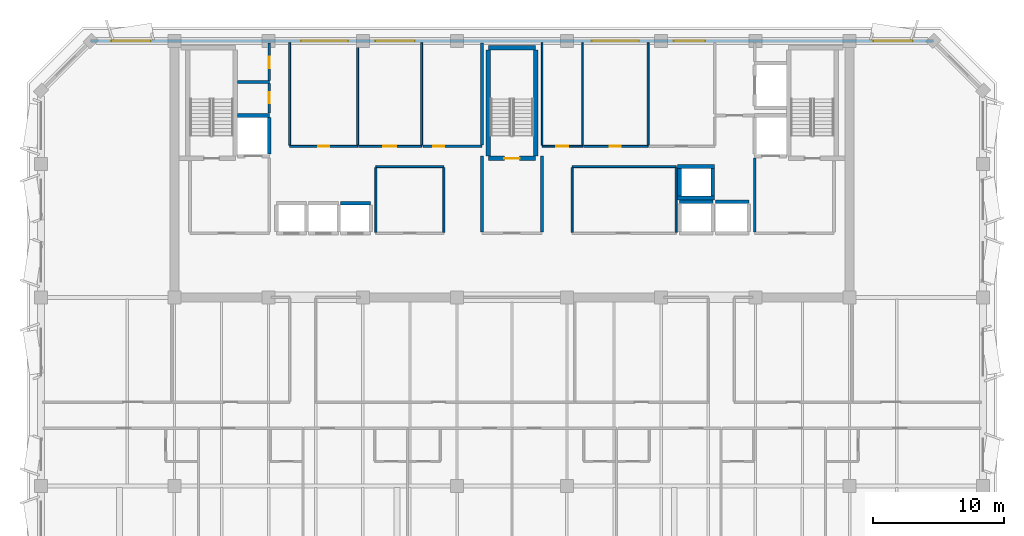
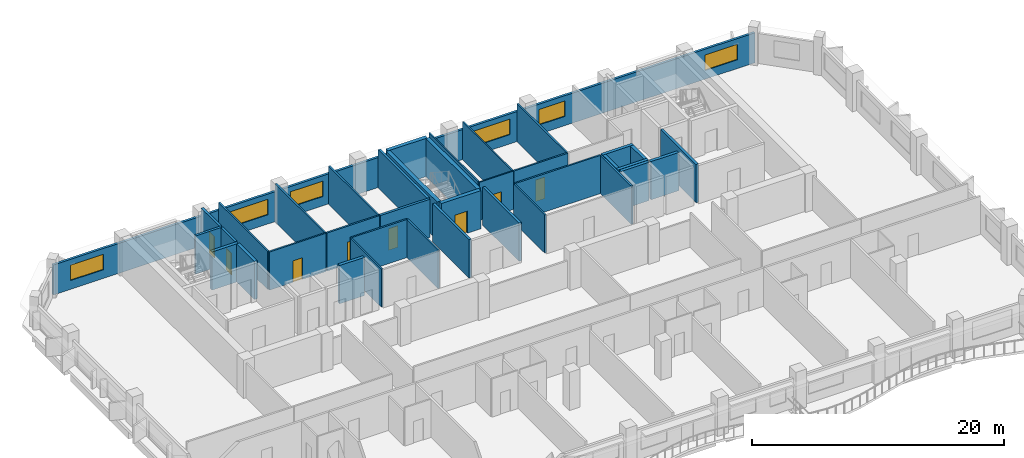
# One storey, part 6 of 11: 38 walls, 8 doors, 6 windows, 14 openings.
"""IFC4 building model written with IfcOpenShell, lengths in metres."""

from ifc_helpers import new_model, si_unit, direction, frame, frame_2d, origin, place, context, subcontext, project, spatial, rectangle, extrude, material, layer, layer_set, type_object, element, fill, save


model = new_model("IFC4")

# Units and contexts
model_context = context("Model", 3, precision=1e-05, world=origin(), true_north=direction((0.0, 1.0)))
body_context = subcontext(model_context, "Body", "Model", "MODEL_VIEW")
ifc_project = project(units=[si_unit("LENGTHUNIT", "METRE"), si_unit("AREAUNIT", "SQUARE_METRE"), si_unit("VOLUMEUNIT", "CUBIC_METRE"), si_unit("PLANEANGLEUNIT", "RADIAN"), si_unit("MASSUNIT", "GRAM", prefix="KILO")], contexts=[model_context])

# Site, building, storey
site_placement = place(None, origin())
site = spatial("IfcSite", under=ifc_project, at=site_placement, CompositionType="ELEMENT")
building_placement = place(site_placement, origin())
building = spatial("IfcBuilding", under=site, at=building_placement, Name="Kaelvorn Grand Hotel", CompositionType="ELEMENT")
storey_placement = place(building_placement, frame((0.0, 0.0, 252.85009765625)))
storey = spatial("IfcBuildingStorey", under=building, at=storey_placement, Name="L62", CompositionType="ELEMENT", Elevation=252.85009765625)

# Wall, openings, windows
ifc_material_1 = material(Name="Concrete C40/50", Category="concrete")
ifc_layer_1 = layer(ifc_material_1, 0.219970703125)
ifc_layer_set_1 = layer_set([ifc_layer_1], Name="Concrete C40/50")
wall_type_1 = type_object("IfcWallType", Name="WL-EXT-220-C40", PredefinedType="SOLIDWALL", material=ifc_layer_set_1)
wall_1_placement = place(storey_placement, frame((74.199951171875, 49.0, 0.0), z_axis=(0.0, 0.0, 1.0), x_axis=(-1.0, 0.0, 0.0)))
wall_1 = element("IfcWall", 1, at=wall_1_placement, inside=storey, type_object=wall_type_1, Name="L62 Exterior Architectural Concrete Wall 05", PredefinedType="SOLIDWALL", context=body_context, shape_type="SweptSolid", body=[
    extrude(rectangle(XDim=64.39990234375, YDim=0.219970703125, at=frame_2d((32.199951171875, 0.0))), origin(), (0.0, 0.0, 1.0), 2.909912109375),
])
opening_1_placement = place(wall_1_placement, frame((59.81494140625, 0.0, 0.85009765625)))
opening_1 = element("IfcOpeningElement", 2, at=opening_1_placement, cuts=wall_1, Name="Opening W5", PredefinedType="OPENING", context=body_context, shape_type="SweptSolid", body=[
    extrude(rectangle(XDim=3.0, YDim=1.5, at=frame_2d((1.5, 0.75))), frame((0.0, 0.1201171875, 0.0), z_axis=(0.0, -1.0, 0.0), x_axis=(1.0, 0.0, 0.0)), (0.0, 0.0, 1.0), 0.239990234375),
])
opening_2_placement = place(wall_1_placement, frame((1.5849609375, 0.0, 0.85009765625)))
opening_2 = element("IfcOpeningElement", 3, at=opening_2_placement, cuts=wall_1, Name="Opening W5", PredefinedType="OPENING", context=body_context, shape_type="SweptSolid", body=[
    extrude(rectangle(XDim=3.0, YDim=1.5, at=frame_2d((1.5, 0.75))), frame((0.0, 0.1201171875, 0.0), z_axis=(0.0, -1.0, 0.0), x_axis=(1.0, 0.0, 0.0)), (0.0, 0.0, 1.0), 0.239990234375),
])
opening_3_placement = place(wall_1_placement, frame((44.715087890625, 0.0, 0.89990234375)))
opening_3 = element("IfcOpeningElement", 4, at=opening_3_placement, cuts=wall_1, Name="Opening W3", PredefinedType="OPENING", context=body_context, shape_type="SweptSolid", body=[
    extrude(rectangle(XDim=3.60009765625, YDim=1.5, at=frame_2d((1.800048828125, 0.75))), frame((0.0, 0.1201171875, 0.0), z_axis=(0.0, -1.0, 0.0), x_axis=(1.0, 0.0, 0.0)), (0.0, 0.0, 1.0), 0.239990234375),
])
opening_4_placement = place(wall_1_placement, frame((39.64990234375, 0.0, 0.89990234375)))
opening_4 = element("IfcOpeningElement", 5, at=opening_4_placement, cuts=wall_1, Name="Opening W5", PredefinedType="OPENING", context=body_context, shape_type="SweptSolid", body=[
    extrude(rectangle(XDim=3.0, YDim=1.5, at=frame_2d((1.5, 0.75))), frame((0.0, 0.1201171875, 0.0), z_axis=(0.0, -1.0, 0.0), x_axis=(1.0, 0.0, 0.0)), (0.0, 0.0, 1.0), 0.239990234375),
])
opening_5_placement = place(wall_1_placement, frame((22.5, 0.0, 0.89990234375)))
opening_5 = element("IfcOpeningElement", 6, at=opening_5_placement, cuts=wall_1, Name="Opening W3", PredefinedType="OPENING", context=body_context, shape_type="SweptSolid", body=[
    extrude(rectangle(XDim=3.60009765625, YDim=1.5, at=frame_2d((1.800048828125, 0.75))), frame((0.0, 0.1201171875, 0.0), z_axis=(0.0, -1.0, 0.0), x_axis=(1.0, 0.0, 0.0)), (0.0, 0.0, 1.0), 0.239990234375),
])
opening_6_placement = place(wall_1_placement, frame((17.43505859375, 0.0, 0.89990234375)))
opening_6 = element("IfcOpeningElement", 7, at=opening_6_placement, cuts=wall_1, Name="Opening W6", PredefinedType="OPENING", context=body_context, shape_type="SweptSolid", body=[
    extrude(rectangle(XDim=2.39990234375, YDim=1.5, at=frame_2d((1.199951171875, 0.75))), frame((0.0, 0.1201171875, 0.0), z_axis=(0.0, -1.0, 0.0), x_axis=(1.0, 0.0, 0.0)), (0.0, 0.0, 1.0), 0.239990234375),
])
ifc_material_2 = material(Name="Laminated Low-E Glass", Category="glass")
window_type_1 = type_object("IfcWindowType", Name="WIN-NTH-2400x1500", PartitioningType="SINGLE_PANEL", PredefinedType="WINDOW", material=ifc_material_2)
window_1_placement = place(opening_6_placement, origin())
window_1 = element("IfcWindow", 8, at=window_1_placement, inside=storey, type_object=window_type_1, Name="L62 North Core Clerestory Ribbon Window NC06", OverallHeight=1.5, OverallWidth=2.39990234375, PartitioningType="SINGLE_PANEL", PredefinedType="WINDOW", context=body_context, shape_type="SweptSolid", body=[
    extrude(rectangle(XDim=2.39990234375, YDim=1.5, at=frame_2d((1.199951171875, 0.75))), frame((0.0, 0.030029296875, 0.0), z_axis=(0.0, -1.0, 0.0), x_axis=(1.0, 0.0, 0.0)), (0.0, 0.0, 1.0), 0.06005859375),
])
fill(opening_6, window_1)
window_type_2 = type_object("IfcWindowType", Name="WIN-NTH-3000x1500", PartitioningType="SINGLE_PANEL", PredefinedType="WINDOW", material=ifc_material_2)
window_2_placement = place(opening_1_placement, origin())
window_2 = element("IfcWindow", 9, at=window_2_placement, inside=storey, type_object=window_type_2, Name="L62 North Wing Ribbon Window NW01", OverallHeight=1.5, OverallWidth=3.0, PartitioningType="SINGLE_PANEL", PredefinedType="WINDOW", context=body_context, shape_type="SweptSolid", body=[
    extrude(rectangle(XDim=3.0, YDim=1.5, at=frame_2d((1.5, 0.75))), frame((0.0, 0.030029296875, 0.0), z_axis=(0.0, -1.0, 0.0), x_axis=(1.0, 0.0, 0.0)), (0.0, 0.0, 1.0), 0.06005859375),
])
fill(opening_1, window_2)
window_3_placement = place(opening_2_placement, origin())
window_3 = element("IfcWindow", 10, at=window_3_placement, inside=storey, type_object=window_type_2, Name="L62 North Wing Ribbon Window NW02", OverallHeight=1.5, OverallWidth=3.0, PartitioningType="SINGLE_PANEL", PredefinedType="WINDOW", context=body_context, shape_type="SweptSolid", body=[
    extrude(rectangle(XDim=3.0, YDim=1.5, at=frame_2d((1.5, 0.75))), frame((0.0, 0.030029296875, 0.0), z_axis=(0.0, -1.0, 0.0), x_axis=(1.0, 0.0, 0.0)), (0.0, 0.0, 1.0), 0.06005859375),
])
fill(opening_2, window_3)
window_4_placement = place(opening_4_placement, origin())
window_4 = element("IfcWindow", 11, at=window_4_placement, inside=storey, type_object=window_type_2, Name="L62 North Core Clerestory Ribbon Window NC04", OverallHeight=1.5, OverallWidth=3.0, PartitioningType="SINGLE_PANEL", PredefinedType="WINDOW", context=body_context, shape_type="SweptSolid", body=[
    extrude(rectangle(XDim=3.0, YDim=1.5, at=frame_2d((1.5, 0.75))), frame((0.0, 0.030029296875, 0.0), z_axis=(0.0, -1.0, 0.0), x_axis=(1.0, 0.0, 0.0)), (0.0, 0.0, 1.0), 0.06005859375),
])
fill(opening_4, window_4)
window_type_3 = type_object("IfcWindowType", Name="WIN-RIB-3600x1750", PartitioningType="SINGLE_PANEL", PredefinedType="WINDOW", material=ifc_material_2)
window_5_placement = place(opening_3_placement, origin())
window_5 = element("IfcWindow", 12, at=window_5_placement, inside=storey, type_object=window_type_3, Name="L62 North Core Clerestory Ribbon Window NC03", OverallHeight=1.5, OverallWidth=3.60009765625, PartitioningType="SINGLE_PANEL", PredefinedType="WINDOW", context=body_context, shape_type="SweptSolid", body=[
    extrude(rectangle(XDim=3.60009765625, YDim=1.5, at=frame_2d((1.800048828125, 0.75))), frame((0.0, 0.030029296875, 0.0), z_axis=(0.0, -1.0, 0.0), x_axis=(1.0, 0.0, 0.0)), (0.0, 0.0, 1.0), 0.06005859375),
])
fill(opening_3, window_5)
window_6_placement = place(opening_5_placement, origin())
window_6 = element("IfcWindow", 13, at=window_6_placement, inside=storey, type_object=window_type_3, Name="L62 North Core Clerestory Ribbon Window NC05", OverallHeight=1.5, OverallWidth=3.60009765625, PartitioningType="SINGLE_PANEL", PredefinedType="WINDOW", context=body_context, shape_type="SweptSolid", body=[
    extrude(rectangle(XDim=3.60009765625, YDim=1.5, at=frame_2d((1.800048828125, 0.75))), frame((0.0, 0.030029296875, 0.0), z_axis=(0.0, -1.0, 0.0), x_axis=(1.0, 0.0, 0.0)), (0.0, 0.0, 1.0), 0.06005859375),
])
fill(opening_5, window_6)

# Wall, opening, door
ifc_material_3 = material(Name="Moisture-Resistant Tile & Stud Board")
ifc_layer_2 = layer(ifc_material_3, 0.125)
ifc_layer_set_2 = layer_set([ifc_layer_2], Name="Moisture-Resistant Tile & Stud Board")
wall_type_2 = type_object("IfcWallType", Name="WL-PART-125-WET", PredefinedType="PARTITIONING", material=ifc_layer_set_2)
wall_2_placement = place(storey_placement, frame((44.300048828125, 40.949951171875, 0.0), z_axis=(0.0, 0.0, 1.0), x_axis=(1.0, 0.0, 0.0)))
wall_2 = element("IfcWall", 14, at=wall_2_placement, inside=storey, type_object=wall_type_2, Name="L62 Accessible WC S Partition", PredefinedType="PARTITIONING", context=body_context, shape_type="SweptSolid", body=[
    extrude(rectangle(XDim=3.099853515625, YDim=0.125, at=frame_2d((1.5498046875, 0.0))), origin(), (0.0, 0.0, 1.0), 3.7099609375),
])
opening_7_placement = place(wall_2_placement, frame((1.10009765625, 0.0, 0.0)))
opening_7 = element("IfcOpeningElement", 15, at=opening_7_placement, cuts=wall_2, Name="Opening DI4", PredefinedType="OPENING", context=body_context, shape_type="SweptSolid", body=[
    extrude(rectangle(XDim=0.89990234375, YDim=2.10009765625, at=frame_2d((0.449951171875, 1.050048828125))), frame((0.0, 0.072509765625, 0.0), z_axis=(0.0, -1.0, 0.0), x_axis=(1.0, 0.0, 0.0)), (0.0, 0.0, 1.0), 0.14501953125),
])
ifc_material_4 = material(Name="Timber Veneer Leaf", Category="wood")
door_type_1 = type_object("IfcDoorType", Name="DR-INT-BATH-900x2100", OperationType="NOTDEFINED", PredefinedType="DOOR", material=ifc_material_4)
door_1_placement = place(opening_7_placement, origin())
door_1 = element("IfcDoor", 16, at=door_1_placement, inside=storey, type_object=door_type_1, Name="L62 Accessible WC Door", OperationType="SINGLE_SWING_RIGHT", OverallHeight=2.10009765625, OverallWidth=0.89990234375, PredefinedType="DOOR", context=body_context, shape_type="SweptSolid", body=[
    extrude(rectangle(XDim=0.89990234375, YDim=2.10009765625, at=frame_2d((0.449951171875, 1.050048828125))), frame((0.0, 0.02490234375, 0.0), z_axis=(0.0, -1.0, 0.0), x_axis=(1.0, 0.0, 0.0)), (0.0, 0.0, 1.0), 0.050048828125),
])
fill(opening_7, door_1)

# Walls
for number, where, z_axis, x_axis, name in (
    (17, (44.300048828125, 41.017578125, 0.0), (0.0, 0.0, 1.0), (0.0, 1.0, 0.0), "L62 Accessible WC W Partition"),
    (18, (47.39990234375, 41.017578125, 0.0), (0.0, 0.0, 1.0), (0.0, 1.0, 0.0), "L62 Accessible WC E Partition"),
):
    element("IfcWall", number, at=place(storey_placement, frame(where, z_axis=z_axis, x_axis=x_axis)), inside=storey, type_object=wall_type_2, Name=name, PredefinedType="PARTITIONING", context=body_context, shape_type="SweptSolid", body=[
        extrude(rectangle(XDim=7.83251953125, YDim=0.125, at=frame_2d((3.916259765625, 0.0))), origin(), (0.0, 0.0, 1.0), 3.7099609375),
    ])
ifc_material_5 = material(Name="Acoustic Gypsum & Stud Partition")
ifc_layer_3 = layer(ifc_material_5, 0.14990234375)
ifc_layer_set_3 = layer_set([ifc_layer_3], Name="Acoustic Gypsum & Stud Partition")
wall_type_3 = type_object("IfcWallType", Name="WL-PART-150-EI60", PredefinedType="PARTITIONING", material=ifc_layer_set_3)
wall_3_placement = place(storey_placement, frame((31.60009765625, 39.39990234375, 0.0), z_axis=(0.0, 0.0, 1.0), x_axis=(1.0, 0.0, 0.0)))
element("IfcWall", 19, at=wall_3_placement, inside=storey, type_object=wall_type_3, Name="L62 Core Telecoms & BMS Server Room N Partition", PredefinedType="PARTITIONING", context=body_context, shape_type="SweptSolid", body=[
    extrude(rectangle(XDim=5.199951171875, YDim=0.14990234375, at=frame_2d((2.60009765625, 0.0))), origin(), (0.0, 0.0, 1.0), 3.7099609375),
])
for number, where, z_axis, x_axis, name in (
    (20, (31.60009765625, 34.3798828125, 0.0), (0.0, 0.0, 1.0), (0.0, 1.0, 0.0), "L62 Core Telecoms & BMS Server Room W Partition"),
    (21, (36.800048828125, 34.3798828125, 0.0), (0.0, 0.0, 1.0), (0.0, 1.0, 0.0), "L62 Core Telecoms & BMS Server Room E Partition"),
):
    element("IfcWall", number, at=place(storey_placement, frame(where, z_axis=z_axis, x_axis=x_axis)), inside=storey, type_object=wall_type_3, Name=name, PredefinedType="PARTITIONING", context=body_context, shape_type="SweptSolid", body=[
        extrude(rectangle(XDim=4.940185546875, YDim=0.14990234375, at=frame_2d((2.47021484375, 0.0))), origin(), (0.0, 0.0, 1.0), 3.7099609375),
    ])
wall_4_placement = place(storey_placement, frame((46.60009765625, 39.39990234375, 0.0), z_axis=(0.0, 0.0, 1.0), x_axis=(1.0, 0.0, 0.0)))
element("IfcWall", 22, at=wall_4_placement, inside=storey, type_object=wall_type_3, Name="L62 Sky Concierge & Butler Pantry Lounge N Partition", PredefinedType="PARTITIONING", context=body_context, shape_type="SweptSolid", body=[
    extrude(rectangle(XDim=7.949951171875, YDim=0.14990234375, at=frame_2d((3.97509765625, 0.0))), origin(), (0.0, 0.0, 1.0), 3.7099609375),
])
for number, where, z_axis, x_axis, name in (
    (23, (46.60009765625, 34.3798828125, 0.0), (0.0, 0.0, 1.0), (0.0, 1.0, 0.0), "L62 Sky Concierge & Butler Pantry Lounge W Partition"),
    (24, (54.550048828125, 34.3798828125, 0.0), (0.0, 0.0, 1.0), (0.0, 1.0, 0.0), "L62 Sky Concierge & Butler Pantry Lounge E Partition"),
):
    element("IfcWall", number, at=place(storey_placement, frame(where, z_axis=z_axis, x_axis=x_axis)), inside=storey, type_object=wall_type_3, Name=name, PredefinedType="PARTITIONING", context=body_context, shape_type="SweptSolid", body=[
        extrude(rectangle(XDim=4.940185546875, YDim=0.14990234375, at=frame_2d((2.47021484375, 0.0))), origin(), (0.0, 0.0, 1.0), 3.7099609375),
    ])

# Wall, opening, door
wall_5_placement = place(storey_placement, frame((25.0, 40.949951171875, 0.0), z_axis=(0.0, 0.0, 1.0), x_axis=(1.0, 0.0, 0.0)))
wall_5 = element("IfcWall", 25, at=wall_5_placement, inside=storey, type_object=wall_type_3, Name="L62 Housekeeping & Linen Room S Partition", PredefinedType="PARTITIONING", context=body_context, shape_type="SweptSolid", body=[
    extrude(rectangle(XDim=5.199951171875, YDim=0.14990234375, at=frame_2d((2.60009765625, 0.0))), origin(), (0.0, 0.0, 1.0), 3.7099609375),
])
opening_8_placement = place(wall_5_placement, frame((2.175048828125, 0.0, 0.0)))
opening_8 = element("IfcOpeningElement", 26, at=opening_8_placement, cuts=wall_5, Name="Opening DI7", PredefinedType="OPENING", context=body_context, shape_type="SweptSolid", body=[
    extrude(rectangle(XDim=0.85009765625, YDim=2.10009765625, at=frame_2d((0.425048828125, 1.050048828125))), frame((0.0, 0.0849609375, 0.0), z_axis=(0.0, -1.0, 0.0), x_axis=(1.0, 0.0, 0.0)), (0.0, 0.0, 1.0), 0.169921875),
])
ifc_material_6 = material(Name="Powder-Coated Steel Leaf", Category="steel")
door_type_2 = type_object("IfcDoorType", Name="DR-INT-RISER-850x2100", OperationType="NOTDEFINED", PredefinedType="DOOR", material=ifc_material_6)
door_2_placement = place(opening_8_placement, origin())
door_2 = element("IfcDoor", 27, at=door_2_placement, inside=storey, type_object=door_type_2, Name="L62 Housekeeping & Linen Room Door", OperationType="SINGLE_SWING_LEFT", OverallHeight=2.10009765625, OverallWidth=0.85009765625, PredefinedType="DOOR", context=body_context, shape_type="SweptSolid", body=[
    extrude(rectangle(XDim=0.85009765625, YDim=2.10009765625, at=frame_2d((0.425048828125, 1.050048828125))), frame((0.0, 0.02490234375, 0.0), z_axis=(0.0, -1.0, 0.0), x_axis=(1.0, 0.0, 0.0)), (0.0, 0.0, 1.0), 0.050048828125),
])
fill(opening_8, door_2)

# Walls
for number, where, z_axis, x_axis, name in (
    (28, (25.0, 41.030029296875, 0.0), (0.0, 0.0, 1.0), (0.0, 1.0, 0.0), "L62 Housekeeping & Linen Room W Partition"),
    (29, (30.199951171875, 41.030029296875, 0.0), (0.0, 0.0, 1.0), (0.0, 1.0, 0.0), "L62 Housekeeping & Linen Room E Partition"),
):
    element("IfcWall", number, at=place(storey_placement, frame(where, z_axis=z_axis, x_axis=x_axis)), inside=storey, type_object=wall_type_3, Name=name, PredefinedType="PARTITIONING", context=body_context, shape_type="SweptSolid", body=[
        extrude(rectangle(XDim=7.820068359375, YDim=0.14990234375, at=frame_2d((3.91015625, 0.0))), origin(), (0.0, 0.0, 1.0), 3.7099609375),
    ])

# Wall, opening, door
wall_6_placement = place(storey_placement, frame((30.280029296875, 40.949951171875, 0.0), z_axis=(0.0, 0.0, 1.0), x_axis=(1.0, 0.0, 0.0)))
wall_6 = element("IfcWall", 30, at=wall_6_placement, inside=storey, type_object=wall_type_3, Name="L62 Room Service Servery Pantry S Partition", PredefinedType="PARTITIONING", context=body_context, shape_type="SweptSolid", body=[
    extrude(rectangle(XDim=4.820068359375, YDim=0.14990234375, at=frame_2d((2.41015625, 0.0))), origin(), (0.0, 0.0, 1.0), 3.7099609375),
])
opening_9_placement = place(wall_6_placement, frame((1.8701171875, 0.0, 0.0)))
opening_9 = element("IfcOpeningElement", 31, at=opening_9_placement, cuts=wall_6, Name="Opening DI3", PredefinedType="OPENING", context=body_context, shape_type="SweptSolid", body=[
    extrude(rectangle(XDim=1.0, YDim=2.14990234375, at=frame_2d((0.5, 1.074951171875))), frame((0.0, 0.0849609375, 0.0), z_axis=(0.0, -1.0, 0.0), x_axis=(1.0, 0.0, 0.0)), (0.0, 0.0, 1.0), 0.169921875),
])
ifc_material_7 = material(Name="Timber Veneer Fire Leaf", Category="wood")
door_type_3 = type_object("IfcDoorType", Name="DR-INT-GUEST-1000x2150", OperationType="NOTDEFINED", PredefinedType="DOOR", material=ifc_material_7)
door_3_placement = place(opening_9_placement, origin())
door_3 = element("IfcDoor", 32, at=door_3_placement, inside=storey, type_object=door_type_3, Name="L62 Room Service Servery Pantry Door", OperationType="SINGLE_SWING_RIGHT", OverallHeight=2.14990234375, OverallWidth=1.0, PredefinedType="DOOR", context=body_context, shape_type="SweptSolid", body=[
    extrude(rectangle(XDim=1.0, YDim=2.14990234375, at=frame_2d((0.5, 1.074951171875))), frame((0.0, 0.02490234375, 0.0), z_axis=(0.0, -1.0, 0.0), x_axis=(1.0, 0.0, 0.0)), (0.0, 0.0, 1.0), 0.050048828125),
])
fill(opening_9, door_3)

# Wall
wall_7_placement = place(storey_placement, frame((35.10009765625, 41.030029296875, 0.0), z_axis=(0.0, 0.0, 1.0), x_axis=(0.0, 1.0, 0.0)))
element("IfcWall", 33, at=wall_7_placement, inside=storey, type_object=wall_type_3, Name="L62 Room Service Servery Pantry E Partition", PredefinedType="PARTITIONING", context=body_context, shape_type="SweptSolid", body=[
    extrude(rectangle(XDim=7.820068359375, YDim=0.14990234375, at=frame_2d((3.91015625, 0.0))), origin(), (0.0, 0.0, 1.0), 3.7099609375),
])

# Wall, opening, door
wall_8_placement = place(storey_placement, frame((47.467529296875, 40.949951171875, 0.0), z_axis=(0.0, 0.0, 1.0), x_axis=(1.0, 0.0, 0.0)))
wall_8 = element("IfcWall", 34, at=wall_8_placement, inside=storey, type_object=wall_type_3, Name="L62 Valet & Luggage Store S Partition", PredefinedType="PARTITIONING", context=body_context, shape_type="SweptSolid", body=[
    extrude(rectangle(XDim=4.932373046875, YDim=0.14990234375, at=frame_2d((2.46630859375, 0.0))), origin(), (0.0, 0.0, 1.0), 3.7099609375),
])
opening_10_placement = place(wall_8_placement, frame((2.007568359375, 0.0, 0.0)))
opening_10 = element("IfcOpeningElement", 35, at=opening_10_placement, cuts=wall_8, Name="Opening DI7", PredefinedType="OPENING", context=body_context, shape_type="SweptSolid", body=[
    extrude(rectangle(XDim=0.85009765625, YDim=2.10009765625, at=frame_2d((0.425048828125, 1.050048828125))), frame((0.0, 0.0849609375, 0.0), z_axis=(0.0, -1.0, 0.0), x_axis=(1.0, 0.0, 0.0)), (0.0, 0.0, 1.0), 0.169921875),
])
door_4_placement = place(opening_10_placement, origin())
door_4 = element("IfcDoor", 36, at=door_4_placement, inside=storey, type_object=door_type_2, Name="L62 Valet & Luggage Store Door", OperationType="SINGLE_SWING_LEFT", OverallHeight=2.10009765625, OverallWidth=0.85009765625, PredefinedType="DOOR", context=body_context, shape_type="SweptSolid", body=[
    extrude(rectangle(XDim=0.85009765625, YDim=2.10009765625, at=frame_2d((0.425048828125, 1.050048828125))), frame((0.0, 0.02490234375, 0.0), z_axis=(0.0, -1.0, 0.0), x_axis=(1.0, 0.0, 0.0)), (0.0, 0.0, 1.0), 0.050048828125),
])
fill(opening_10, door_4)

# Walls
wall_9_placement = place(storey_placement, frame((52.39990234375, 41.030029296875, 0.0), z_axis=(0.0, 0.0, 1.0), x_axis=(0.0, 1.0, 0.0)))
element("IfcWall", 37, at=wall_9_placement, inside=storey, type_object=wall_type_3, Name="L62 Valet & Luggage Store E Partition", PredefinedType="PARTITIONING", context=body_context, shape_type="SweptSolid", body=[
    extrude(rectangle(XDim=7.820068359375, YDim=0.14990234375, at=frame_2d((3.91015625, 0.0))), origin(), (0.0, 0.0, 1.0), 3.7099609375),
])
ifc_layer_4 = layer(ifc_material_1, 0.219970703125)
ifc_layer_set_4 = layer_set([ifc_layer_4], Name="Concrete C40/50")
wall_type_4 = type_object("IfcWallType", Name="WL-PART-220-EI120", PredefinedType="PARTITIONING", material=ifc_layer_set_4)
wall_10_placement = place(storey_placement, frame((60.550048828125, 34.4150390625, 0.0), z_axis=(0.0, 0.0, 1.0), x_axis=(0.0, 1.0, 0.0)))
element("IfcWall", 38, at=wall_10_placement, inside=storey, type_object=wall_type_4, Name="L62 Firefighting Lift Lobby 2 W Partition", PredefinedType="PARTITIONING", context=body_context, shape_type="SweptSolid", body=[
    extrude(rectangle(XDim=5.639892578125, YDim=0.219970703125, at=frame_2d((2.81982421875, 0.0))), origin(), (0.0, 0.0, 1.0), 3.7099609375),
])
for number, where, z_axis, x_axis, name in (
    (39, (39.699951171875, 34.4150390625, 0.0), (0.0, 0.0, 1.0), (0.0, 1.0, 0.0), "L62 Central Stair Escape Vestibule W Partition"),
    (40, (44.300048828125, 34.4150390625, 0.0), (0.0, 0.0, 1.0), (0.0, 1.0, 0.0), "L62 Central Stair Escape Vestibule E Partition"),
):
    element("IfcWall", number, at=place(storey_placement, frame(where, z_axis=z_axis, x_axis=x_axis)), inside=storey, type_object=wall_type_4, Name=name, PredefinedType="PARTITIONING", context=body_context, shape_type="SweptSolid", body=[
        extrude(rectangle(XDim=5.784912109375, YDim=0.219970703125, at=frame_2d((2.892578125, 0.0))), origin(), (0.0, 0.0, 1.0), 3.7099609375),
    ])
wall_11_placement = place(storey_placement, frame((21.034912109375, 45.85009765625, 0.0), z_axis=(0.0, 0.0, 1.0), x_axis=(1.0, 0.0, 0.0)))
element("IfcWall", 41, at=wall_11_placement, inside=storey, type_object=wall_type_4, Name="L62 Wet Fire & Plumbing Riser Shaft N Partition", PredefinedType="PARTITIONING", context=body_context, shape_type="SweptSolid", body=[
    extrude(rectangle(XDim=2.4150390625, YDim=0.219970703125, at=frame_2d((1.20751953125, 0.0))), origin(), (0.0, 0.0, 1.0), 3.7099609375),
])

# Wall, opening, door
wall_12_placement = place(storey_placement, frame((23.449951171875, 43.5, 0.0), z_axis=(0.0, 0.0, 1.0), x_axis=(0.0, 1.0, 0.0)))
wall_12 = element("IfcWall", 42, at=wall_12_placement, inside=storey, type_object=wall_type_4, Name="L62 Wet Fire & Plumbing Riser Shaft E Partition", PredefinedType="PARTITIONING", context=body_context, shape_type="SweptSolid", body=[
    extrude(rectangle(XDim=2.235107421875, YDim=0.219970703125, at=frame_2d((1.11767578125, 0.0))), origin(), (0.0, 0.0, 1.0), 3.7099609375),
])
opening_11_placement = place(wall_12_placement, frame((0.72509765625, 0.0, 0.0)))
opening_11 = element("IfcOpeningElement", 43, at=opening_11_placement, cuts=wall_12, Name="Opening DI7", PredefinedType="OPENING", context=body_context, shape_type="SweptSolid", body=[
    extrude(rectangle(XDim=0.85009765625, YDim=2.10009765625, at=frame_2d((0.425048828125, 1.050048828125))), frame((0.0, 0.1201171875, 0.0), z_axis=(0.0, -1.0, 0.0), x_axis=(1.0, 0.0, 0.0)), (0.0, 0.0, 1.0), 0.239990234375),
])
door_5_placement = place(opening_11_placement, origin())
door_5 = element("IfcDoor", 44, at=door_5_placement, inside=storey, type_object=door_type_2, Name="L62 Wet Fire & Plumbing Riser Shaft Door", OperationType="SINGLE_SWING_LEFT", OverallHeight=2.10009765625, OverallWidth=0.85009765625, PredefinedType="DOOR", context=body_context, shape_type="SweptSolid", body=[
    extrude(rectangle(XDim=0.85009765625, YDim=2.10009765625, at=frame_2d((0.425048828125, 1.050048828125))), frame((0.0, 0.02490234375, 0.0), z_axis=(0.0, -1.0, 0.0), x_axis=(1.0, 0.0, 0.0)), (0.0, 0.0, 1.0), 0.050048828125),
])
fill(opening_11, door_5)

wall_13_placement = place(storey_placement, frame((23.449951171875, 45.965087890625, 0.0), z_axis=(0.0, 0.0, 1.0), x_axis=(0.0, 1.0, 0.0)))
wall_13 = element("IfcWall", 45, at=wall_13_placement, inside=storey, type_object=wall_type_4, Name="L62 HV Electrical & Smoke Riser E Partition", PredefinedType="PARTITIONING", context=body_context, shape_type="SweptSolid", body=[
    extrude(rectangle(XDim=2.885009765625, YDim=0.219970703125, at=frame_2d((1.4423828125, 0.0))), origin(), (0.0, 0.0, 1.0), 3.7099609375),
])
opening_12_placement = place(wall_13_placement, frame((0.9599609375, 0.0, 0.0)))
opening_12 = element("IfcOpeningElement", 46, at=opening_12_placement, cuts=wall_13, Name="Opening DI7", PredefinedType="OPENING", context=body_context, shape_type="SweptSolid", body=[
    extrude(rectangle(XDim=0.85009765625, YDim=2.10009765625, at=frame_2d((0.425048828125, 1.050048828125))), frame((0.0, 0.1201171875, 0.0), z_axis=(0.0, -1.0, 0.0), x_axis=(1.0, 0.0, 0.0)), (0.0, 0.0, 1.0), 0.239990234375),
])
door_6_placement = place(opening_12_placement, origin())
door_6 = element("IfcDoor", 47, at=door_6_placement, inside=storey, type_object=door_type_2, Name="L62 HV Electrical & Smoke Riser Door", OperationType="SINGLE_SWING_RIGHT", OverallHeight=2.10009765625, OverallWidth=0.85009765625, PredefinedType="DOOR", context=body_context, shape_type="SweptSolid", body=[
    extrude(rectangle(XDim=0.85009765625, YDim=2.10009765625, at=frame_2d((0.425048828125, 1.050048828125))), frame((0.0, 0.02490234375, 0.0), z_axis=(0.0, -1.0, 0.0), x_axis=(1.0, 0.0, 0.0)), (0.0, 0.0, 1.0), 0.050048828125),
])
fill(opening_12, door_6)

wall_14_placement = place(storey_placement, frame((35.179931640625, 40.949951171875, 0.0), z_axis=(0.0, 0.0, 1.0), x_axis=(1.0, 0.0, 0.0)))
wall_14 = element("IfcWall", 48, at=wall_14_placement, inside=storey, type_object=wall_type_4, Name="L62 Floor Electrical Switchroom S Partition", PredefinedType="PARTITIONING", context=body_context, shape_type="SweptSolid", body=[
    extrude(rectangle(XDim=4.52001953125, YDim=0.219970703125, at=frame_2d((2.260009765625, 0.0))), origin(), (0.0, 0.0, 1.0), 3.7099609375),
])
opening_13_placement = place(wall_14_placement, frame((0.794921875, 0.0, 0.0)))
opening_13 = element("IfcOpeningElement", 49, at=opening_13_placement, cuts=wall_14, Name="Opening DI7", PredefinedType="OPENING", context=body_context, shape_type="SweptSolid", body=[
    extrude(rectangle(XDim=0.85009765625, YDim=2.10009765625, at=frame_2d((0.425048828125, 1.050048828125))), frame((0.0, 0.1201171875, 0.0), z_axis=(0.0, -1.0, 0.0), x_axis=(1.0, 0.0, 0.0)), (0.0, 0.0, 1.0), 0.239990234375),
])
door_7_placement = place(opening_13_placement, origin())
door_7 = element("IfcDoor", 50, at=door_7_placement, inside=storey, type_object=door_type_2, Name="L62 Floor Electrical Switchroom Door", OperationType="SINGLE_SWING_LEFT", OverallHeight=2.10009765625, OverallWidth=0.85009765625, PredefinedType="DOOR", context=body_context, shape_type="SweptSolid", body=[
    extrude(rectangle(XDim=0.85009765625, YDim=2.10009765625, at=frame_2d((0.425048828125, 1.050048828125))), frame((0.0, 0.02490234375, 0.0), z_axis=(0.0, -1.0, 0.0), x_axis=(1.0, 0.0, 0.0)), (0.0, 0.0, 1.0), 0.050048828125),
])
fill(opening_13, door_7)

# Walls
wall_15_placement = place(storey_placement, frame((39.699951171875, 41.06494140625, 0.0), z_axis=(0.0, 0.0, 1.0), x_axis=(0.0, 1.0, 0.0)))
element("IfcWall", 51, at=wall_15_placement, inside=storey, type_object=wall_type_4, Name="L62 Floor Electrical Switchroom E Partition", PredefinedType="PARTITIONING", context=body_context, shape_type="SweptSolid", body=[
    extrude(rectangle(XDim=7.78515625, YDim=0.219970703125, at=frame_2d((3.892578125, 0.0))), origin(), (0.0, 0.0, 1.0), 3.7099609375),
])
ifc_material_8 = material(Name="Concrete C50/60", Category="concrete")
ifc_layer_5 = layer(ifc_material_8, 0.280029296875)
ifc_layer_set_5 = layer_set([ifc_layer_5], Name="Concrete C50/60")
wall_type_5 = type_object("IfcWallType", Name="WL-SHAFT-280-C50", PredefinedType="SHEAR", material=ifc_layer_set_5)
wall_16_placement = place(storey_placement, frame((28.89990234375, 36.60009765625, 0.0), z_axis=(0.0, 0.0, 1.0), x_axis=(1.0, 0.0, 0.0)))
element("IfcWall", 52, at=wall_16_placement, inside=storey, type_object=wall_type_5, Name="L62 Lift PL-H3 Shaft North Wall", PredefinedType="SHEAR", context=body_context, shape_type="SweptSolid", body=[
    extrude(rectangle(XDim=2.300048828125, YDim=0.280029296875, at=frame_2d((1.14990234375, 0.0))), origin(), (0.0, 0.0, 1.0), 3.7099609375),
])
for number, where, z_axis, x_axis, name in (
    (53, (54.800048828125, 36.699951171875, 0.0), (0.0, 0.0, 1.0), (1.0, 0.0, 0.0), "L62 Lift OL-1 Shaft North Wall"),
    (54, (57.550048828125, 36.699951171875, 0.0), (0.0, 0.0, 1.0), (1.0, 0.0, 0.0), "L62 Lift OL-2 Shaft North Wall"),
):
    element("IfcWall", number, at=place(storey_placement, frame(where, z_axis=z_axis, x_axis=x_axis)), inside=storey, type_object=wall_type_5, Name=name, PredefinedType="SHEAR", context=body_context, shape_type="SweptSolid", body=[
        extrude(rectangle(XDim=2.550048828125, YDim=0.280029296875, at=frame_2d((1.27490234375, 0.0))), origin(), (0.0, 0.0, 1.0), 3.7099609375),
    ])
for number, where, z_axis, x_axis, name in (
    (55, (54.659912109375, 37.0, 0.0), (0.0, 0.0, 1.0), (1.0, 0.0, 0.0), "L62 Lift OL-3 Shaft South Wall"),
    (56, (54.659912109375, 39.39990234375, 0.0), (0.0, 0.0, 1.0), (1.0, 0.0, 0.0), "L62 Lift OL-3 Shaft North Wall"),
):
    element("IfcWall", number, at=place(storey_placement, frame(where, z_axis=z_axis, x_axis=x_axis)), inside=storey, type_object=wall_type_5, Name=name, PredefinedType="SHEAR", context=body_context, shape_type="SweptSolid", body=[
        extrude(rectangle(XDim=2.830078125, YDim=0.280029296875, at=frame_2d((1.4150390625, 0.0))), origin(), (0.0, 0.0, 1.0), 3.7099609375),
    ])
for number, where, z_axis, x_axis, name in (
    (57, (54.800048828125, 37.14501953125, 0.0), (0.0, 0.0, 1.0), (0.0, 1.0, 0.0), "L62 Lift OL-3 Shaft West Wall"),
    (58, (57.35009765625, 37.14501953125, 0.0), (0.0, 0.0, 1.0), (0.0, 1.0, 0.0), "L62 Lift OL-3 Shaft East Wall"),
):
    element("IfcWall", number, at=place(storey_placement, frame(where, z_axis=z_axis, x_axis=x_axis)), inside=storey, type_object=wall_type_5, Name=name, PredefinedType="SHEAR", context=body_context, shape_type="SweptSolid", body=[
        extrude(rectangle(XDim=2.10986328125, YDim=0.280029296875, at=frame_2d((1.054931640625, 0.0))), origin(), (0.0, 0.0, 1.0), 3.7099609375),
    ])
wall_17_placement = place(storey_placement, frame((21.034912109375, 43.300048828125, 0.0), z_axis=(0.0, 0.0, 1.0), x_axis=(1.0, 0.0, 0.0)))
element("IfcWall", 59, at=wall_17_placement, inside=storey, type_object=wall_type_5, Name="L62 Lift FFL1 Shaft North Wall", PredefinedType="SHEAR", context=body_context, shape_type="SweptSolid", body=[
    extrude(rectangle(XDim=2.4150390625, YDim=0.280029296875, at=frame_2d((1.20751953125, 0.0))), origin(), (0.0, 0.0, 1.0), 3.7099609375),
])
wall_18_placement = place(storey_placement, frame((23.449951171875, 40.344970703125, 0.0), z_axis=(0.0, 0.0, 1.0), x_axis=(0.0, 1.0, 0.0)))
element("IfcWall", 60, at=wall_18_placement, inside=storey, type_object=wall_type_5, Name="L62 Lift FFL1 Shaft East Wall", PredefinedType="SHEAR", context=body_context, shape_type="SweptSolid", body=[
    extrude(rectangle(XDim=2.81005859375, YDim=0.280029296875, at=frame_2d((1.405029296875, 0.0))), origin(), (0.0, 0.0, 1.0), 3.7099609375),
])

# Wall, opening, door
ifc_material_9 = material(Name="Concrete C60/75", Category="concrete")
ifc_layer_6 = layer(ifc_material_9, 0.35009765625)
ifc_layer_set_6 = layer_set([ifc_layer_6], Name="Concrete C60/75")
wall_type_6 = type_object("IfcWallType", Name="WL-SHAFT-350-C60", PredefinedType="SHEAR", material=ifc_layer_set_6)
wall_19_placement = place(storey_placement, frame((40.18505859375, 40.02490234375, 0.0), z_axis=(0.0, 0.0, 1.0), x_axis=(1.0, 0.0, 0.0)))
wall_19 = element("IfcWall", 61, at=wall_19_placement, inside=storey, type_object=wall_type_6, Name="L62 ST2 Stair Shaft South Wall", PredefinedType="SHEAR", context=body_context, shape_type="SweptSolid", body=[
    extrude(rectangle(XDim=3.6298828125, YDim=0.35009765625, at=frame_2d((1.81494140625, 0.0))), origin(), (0.0, 0.0, 1.0), 3.7099609375),
])
opening_14_placement = place(wall_19_placement, frame((1.239990234375, 0.0, 0.0)))
opening_14 = element("IfcOpeningElement", 62, at=opening_14_placement, cuts=wall_19, Name="Opening DI1", PredefinedType="OPENING", context=body_context, shape_type="SweptSolid", body=[
    extrude(rectangle(XDim=1.14990234375, YDim=2.14990234375, at=frame_2d((0.574951171875, 1.074951171875))), frame((0.0, 0.18505859375, 0.0), z_axis=(0.0, -1.0, 0.0), x_axis=(1.0, 0.0, 0.0)), (0.0, 0.0, 1.0), 0.3701171875),
])
door_type_4 = type_object("IfcDoorType", Name="DR-INT-STAIR-1150x2150", OperationType="NOTDEFINED", PredefinedType="DOOR", material=ifc_material_7)
door_8_placement = place(opening_14_placement, origin())
door_8 = element("IfcDoor", 63, at=door_8_placement, inside=storey, type_object=door_type_4, Name="L62 ST2 Exit Stair Fire Door", OperationType="SINGLE_SWING_LEFT", OverallHeight=2.14990234375, OverallWidth=1.14990234375, PredefinedType="DOOR", context=body_context, shape_type="SweptSolid", body=[
    extrude(rectangle(XDim=1.14990234375, YDim=2.14990234375, at=frame_2d((0.574951171875, 1.074951171875))), frame((0.0, 0.02490234375, 0.0), z_axis=(0.0, -1.0, 0.0), x_axis=(1.0, 0.0, 0.0)), (0.0, 0.0, 1.0), 0.050048828125),
])
fill(opening_14, door_8)

# Walls
wall_20_placement = place(storey_placement, frame((40.18505859375, 48.47509765625, 0.0), z_axis=(0.0, 0.0, 1.0), x_axis=(1.0, 0.0, 0.0)))
element("IfcWall", 64, at=wall_20_placement, inside=storey, type_object=wall_type_6, Name="L62 ST2 Stair Shaft North Wall", PredefinedType="SHEAR", context=body_context, shape_type="SweptSolid", body=[
    extrude(rectangle(XDim=3.6298828125, YDim=0.35009765625, at=frame_2d((1.81494140625, 0.0))), origin(), (0.0, 0.0, 1.0), 3.7099609375),
])
for number, where, z_axis, x_axis, name in (
    (65, (40.18505859375, 40.205078125, 0.0), (0.0, 0.0, 1.0), (0.0, 1.0, 0.0), "L62 ST2 Stair Shaft West Wall"),
    (66, (43.81494140625, 40.205078125, 0.0), (0.0, 0.0, 1.0), (0.0, 1.0, 0.0), "L62 ST2 Stair Shaft East Wall"),
):
    element("IfcWall", number, at=place(storey_placement, frame(where, z_axis=z_axis, x_axis=x_axis)), inside=storey, type_object=wall_type_6, Name=name, PredefinedType="SHEAR", context=body_context, shape_type="SweptSolid", body=[
        extrude(rectangle(XDim=8.08984375, YDim=0.35009765625, at=frame_2d((4.044921875, 0.0))), origin(), (0.0, 0.0, 1.0), 3.7099609375),
    ])

save(model, "model.ifc")
